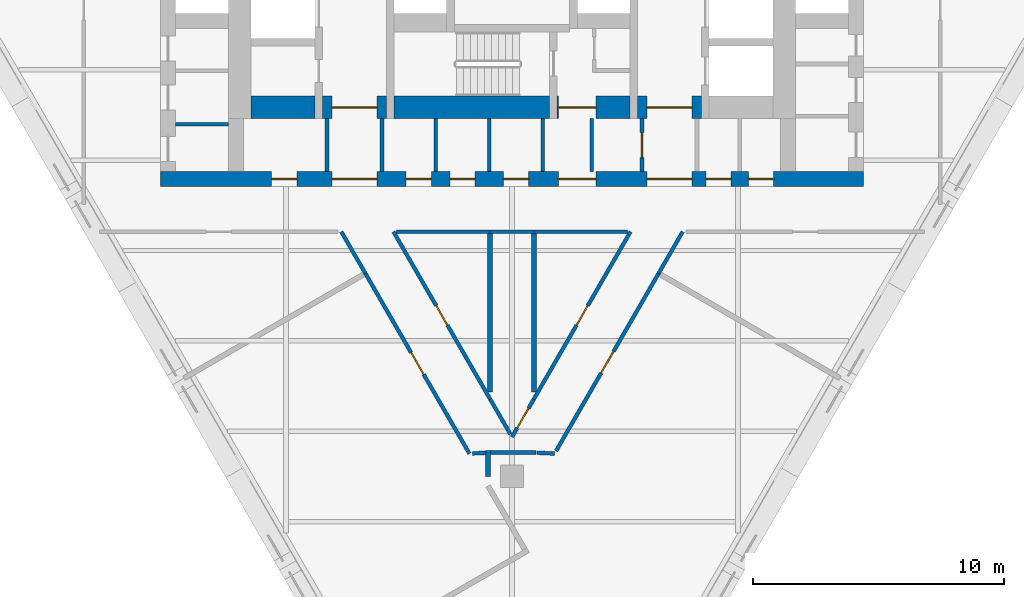
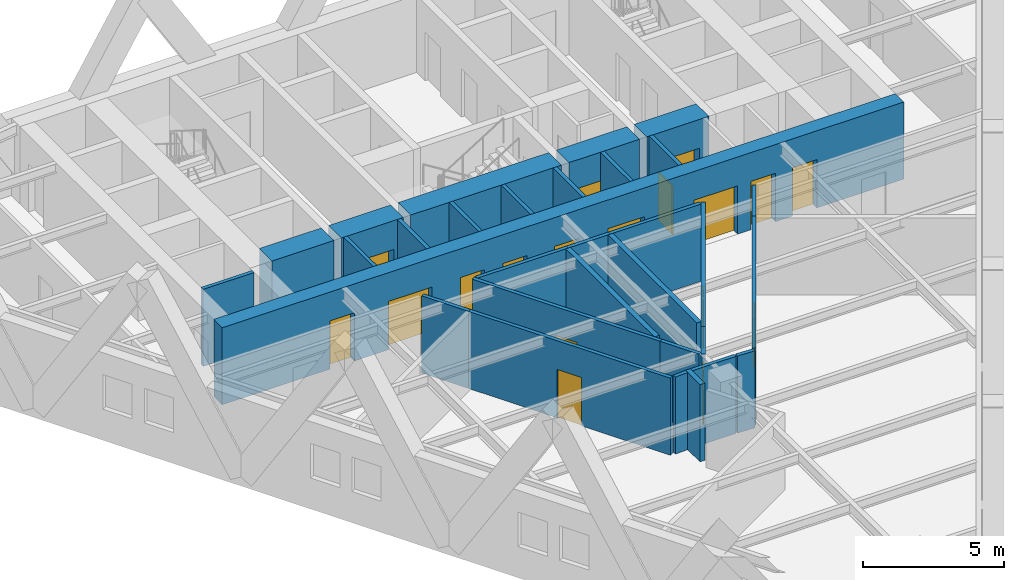
# One storey, part 3 of 7: 31 walls, 18 doors, 18 openings.
"""IFC4 building model written with IfcOpenShell, lengths in metres."""

from ifc_helpers import new_model, si_unit, direction, frame, frame_2d, origin, place, context, subcontext, project, spatial, rectangle, extrude, material, layer, layer_set, type_object, element, fill, save


model = new_model("IFC4")

# Units and contexts
model_context = context("Model", 3, precision=1e-05, world=origin(), true_north=direction((0.0, 1.0)))
body_context = subcontext(model_context, "Body", "Model", "MODEL_VIEW")
ifc_project = project(units=[si_unit("LENGTHUNIT", "METRE"), si_unit("AREAUNIT", "SQUARE_METRE"), si_unit("VOLUMEUNIT", "CUBIC_METRE"), si_unit("PLANEANGLEUNIT", "RADIAN"), si_unit("MASSUNIT", "GRAM", prefix="KILO")], contexts=[model_context])

# Site, building, storey
site_placement = place(None, origin())
site = spatial("IfcSite", under=ifc_project, at=site_placement, CompositionType="ELEMENT")
building_placement = place(site_placement, origin())
building = spatial("IfcBuilding", under=site, at=building_placement, Name="Aloe Facet Convention Tower", CompositionType="ELEMENT")
storey_placement = place(building_placement, frame((0.0, 0.0, 81.800048828125)))
storey = spatial("IfcBuildingStorey", under=building, at=storey_placement, Name="L19", CompositionType="ELEMENT", Elevation=81.800048828125)

# Walls
ifc_material_1 = material(Name="Concrete blockwork partition", Category="masonry")
ifc_layer_1 = layer(ifc_material_1, 0.14990234375)
ifc_layer_set_1 = layer_set([ifc_layer_1], Name="CR-W-PART150")
wall_type_1 = type_object("IfcWallType", Name="CR-W-PART150", PredefinedType="PARTITIONING", material=ifc_layer_set_1)
wall_1_placement = place(storey_placement, frame((66.60009765625, 122.02490234375, 0.0), z_axis=(0.0, 0.0, 1.0), x_axis=(1.0, 0.0, 0.0)))
element("IfcWall", 1, at=wall_1_placement, inside=storey, type_object=wall_type_1, Name="Core partition L19-008", PredefinedType="PARTITIONING", context=body_context, shape_type="SweptSolid", body=[
    extrude(rectangle(XDim=2.099853515625, YDim=0.14990234375, at=frame_2d((1.0498046875, 0.0))), origin(), (0.0, 0.0, 1.0), 3.349853515625),
])
for number, where, z_axis, x_axis, name in (
    (2, (72.625, 122.25, 0.0), (0.0, 0.0, 1.0), (0.0, -1.0, 0.0), "Core partition L19-017"),
    (3, (74.824951171875, 122.25, 0.0), (0.0, 0.0, 1.0), (0.0, -1.0, 0.0), "Core partition L19-018"),
    (4, (76.958251953125, 122.25, 0.0), (0.0, 0.0, 1.0), (0.0, -1.0, 0.0), "Core partition L19-024"),
    (5, (79.091552734375, 122.25, 0.0), (0.0, 0.0, 1.0), (0.0, -1.0, 0.0), "Core partition L19-027"),
    (6, (81.22509765625, 122.25, 0.0), (0.0, 0.0, 1.0), (0.0, -1.0, 0.0), "Core partition L19-028"),
    (7, (83.175048828125, 122.25, 0.0), (0.0, 0.0, 1.0), (0.0, -1.0, 0.0), "Core partition L19-035"),
):
    element("IfcWall", number, at=place(storey_placement, frame(where, z_axis=z_axis, x_axis=x_axis)), inside=storey, type_object=wall_type_1, Name=name, PredefinedType="PARTITIONING", context=body_context, shape_type="SweptSolid", body=[
        extrude(rectangle(XDim=2.10009765625, YDim=0.14990234375, at=frame_2d((1.050048828125, 0.0))), origin(), (0.0, 0.0, 1.0), 3.349853515625),
    ])

# Wall, opening, door
wall_2_placement = place(storey_placement, frame((85.175048828125, 122.25, 0.0), z_axis=(0.0, 0.0, 1.0), x_axis=(0.0, -1.0, 0.0)))
wall_2 = element("IfcWall", 8, at=wall_2_placement, inside=storey, type_object=wall_type_1, Name="Core partition L19-041", PredefinedType="PARTITIONING", context=body_context, shape_type="SweptSolid", body=[
    extrude(rectangle(XDim=2.10009765625, YDim=0.14990234375, at=frame_2d((1.050048828125, 0.0))), origin(), (0.0, 0.0, 1.0), 3.349853515625),
])
opening_1_placement = place(wall_2_placement, frame((0.550048828125, 0.0, 0.0)))
opening_1 = element("IfcOpeningElement", 9, at=opening_1_placement, cuts=wall_2, Name="Opening L19-CD28", PredefinedType="OPENING", context=body_context, shape_type="SweptSolid", body=[
    extrude(rectangle(XDim=1.0, YDim=2.10009765625, at=frame_2d((0.5, 1.050048828125))), frame((0.0, 0.0849609375, 0.0), z_axis=(0.0, -1.0, 0.0), x_axis=(1.0, 0.0, 0.0)), (0.0, 0.0, 1.0), 0.169921875),
])
ifc_material_2 = material(Name="Steel fire-resisting door set FD60", Category="steel")
door_type_1 = type_object("IfcDoorType", Name="CR-D-ROOM-1000-FD60-SRIGHT", OperationType="SINGLE_SWING_RIGHT", PredefinedType="DOOR", material=ifc_material_2)
door_1_placement = place(opening_1_placement, origin())
door_1 = element("IfcDoor", 10, at=door_1_placement, inside=storey, type_object=door_type_1, Name="Core door L19-CD28", OperationType="SINGLE_SWING_RIGHT", OverallHeight=2.10009765625, OverallWidth=1.0, PredefinedType="DOOR", context=body_context, shape_type="SweptSolid", body=[
    extrude(rectangle(XDim=1.0, YDim=2.10009765625, at=frame_2d((0.5, 1.050048828125))), frame((0.0, 0.02490234375, 0.0), z_axis=(0.0, -1.0, 0.0), x_axis=(1.0, 0.0, 0.0)), (0.0, 0.0, 1.0), 0.050048828125),
])
fill(opening_1, door_1)

# Wall, openings, doors
ifc_material_3 = material(Name="Concrete C70/85", Category="concrete")
ifc_layer_2 = layer(ifc_material_3, 0.60009765625)
ifc_layer_set_2 = layer_set([ifc_layer_2], Name="CR-W-RC600-C7085")
wall_type_2 = type_object("IfcWallType", Name="CR-W-RC600-C7085", PredefinedType="SOLIDWALL", material=ifc_layer_set_2)
wall_3_placement = place(storey_placement, frame((66.0, 119.85009765625, 0.0), z_axis=(0.0, 0.0, 1.0), x_axis=(1.0, 0.0, 0.0)))
wall_3 = element("IfcWall", 11, at=wall_3_placement, inside=storey, type_object=wall_type_2, Name="Core wall L19-003", PredefinedType="SOLIDWALL", context=body_context, shape_type="SweptSolid", body=[
    extrude(rectangle(XDim=28.0, YDim=0.60009765625, at=frame_2d((14.0, 0.0))), origin(), (0.0, 0.0, 1.0), 3.349853515625),
])
opening_2_placement = place(wall_3_placement, frame((6.824951171875, 0.0, 0.0)))
opening_2 = element("IfcOpeningElement", 12, at=opening_2_placement, cuts=wall_3, Name="Opening L19-CD17", PredefinedType="OPENING", context=body_context, shape_type="SweptSolid", body=[
    extrude(rectangle(XDim=1.800048828125, YDim=2.10009765625, at=frame_2d((0.89990234375, 1.050048828125))), frame((0.0, 0.31005859375, 0.0), z_axis=(0.0, -1.0, 0.0), x_axis=(1.0, 0.0, 0.0)), (0.0, 0.0, 1.0), 0.6201171875),
])
opening_3_placement = place(wall_3_placement, frame((15.85009765625, 0.0, 0.0)))
opening_3 = element("IfcOpeningElement", 13, at=opening_3_placement, cuts=wall_3, Name="Opening L19-CD18", PredefinedType="OPENING", context=body_context, shape_type="SweptSolid", body=[
    extrude(rectangle(XDim=1.5, YDim=2.10009765625, at=frame_2d((0.75, 1.050048828125))), frame((0.0, 0.31005859375, 0.0), z_axis=(0.0, -1.0, 0.0), x_axis=(1.0, 0.0, 0.0)), (0.0, 0.0, 1.0), 0.6201171875),
])
opening_4_placement = place(wall_3_placement, frame((19.375, 0.0, 0.0)))
opening_4 = element("IfcOpeningElement", 14, at=opening_4_placement, cuts=wall_3, Name="Opening L19-CD19", PredefinedType="OPENING", context=body_context, shape_type="SweptSolid", body=[
    extrude(rectangle(XDim=1.800048828125, YDim=2.10009765625, at=frame_2d((0.89990234375, 1.050048828125))), frame((0.0, 0.31005859375, 0.0), z_axis=(0.0, -1.0, 0.0), x_axis=(1.0, 0.0, 0.0)), (0.0, 0.0, 1.0), 0.6201171875),
])
opening_5_placement = place(wall_3_placement, frame((4.425048828125, 0.0, 0.0)))
opening_5 = element("IfcOpeningElement", 15, at=opening_5_placement, cuts=wall_3, Name="Opening L19-CD24", PredefinedType="OPENING", context=body_context, shape_type="SweptSolid", body=[
    extrude(rectangle(XDim=1.0, YDim=2.10009765625, at=frame_2d((0.5, 1.050048828125))), frame((0.0, 0.31005859375, 0.0), z_axis=(0.0, -1.0, 0.0), x_axis=(1.0, 0.0, 0.0)), (0.0, 0.0, 1.0), 0.6201171875),
])
opening_6_placement = place(wall_3_placement, frame((9.783203125, 0.0, 0.0)))
opening_6 = element("IfcOpeningElement", 16, at=opening_6_placement, cuts=wall_3, Name="Opening L19-CD25", PredefinedType="OPENING", context=body_context, shape_type="SweptSolid", body=[
    extrude(rectangle(XDim=1.0, YDim=2.10009765625, at=frame_2d((0.5, 1.050048828125))), frame((0.0, 0.31005859375, 0.0), z_axis=(0.0, -1.0, 0.0), x_axis=(1.0, 0.0, 0.0)), (0.0, 0.0, 1.0), 0.6201171875),
])
opening_7_placement = place(wall_3_placement, frame((11.52490234375, 0.0, 0.0)))
opening_7 = element("IfcOpeningElement", 17, at=opening_7_placement, cuts=wall_3, Name="Opening L19-CD26", PredefinedType="OPENING", context=body_context, shape_type="SweptSolid", body=[
    extrude(rectangle(XDim=1.0, YDim=2.10009765625, at=frame_2d((0.5, 1.050048828125))), frame((0.0, 0.31005859375, 0.0), z_axis=(0.0, -1.0, 0.0), x_axis=(1.0, 0.0, 0.0)), (0.0, 0.0, 1.0), 0.6201171875),
])
opening_8_placement = place(wall_3_placement, frame((13.658203125, 0.0, 0.0)))
opening_8 = element("IfcOpeningElement", 18, at=opening_8_placement, cuts=wall_3, Name="Opening L19-CD27", PredefinedType="OPENING", context=body_context, shape_type="SweptSolid", body=[
    extrude(rectangle(XDim=1.0, YDim=2.10009765625, at=frame_2d((0.5, 1.050048828125))), frame((0.0, 0.31005859375, 0.0), z_axis=(0.0, -1.0, 0.0), x_axis=(1.0, 0.0, 0.0)), (0.0, 0.0, 1.0), 0.6201171875),
])
opening_9_placement = place(wall_3_placement, frame((21.72509765625, 0.0, 0.0)))
opening_9 = element("IfcOpeningElement", 19, at=opening_9_placement, cuts=wall_3, Name="Opening L19-CD29", PredefinedType="OPENING", context=body_context, shape_type="SweptSolid", body=[
    extrude(rectangle(XDim=1.0, YDim=2.10009765625, at=frame_2d((0.5, 1.050048828125))), frame((0.0, 0.31005859375, 0.0), z_axis=(0.0, -1.0, 0.0), x_axis=(1.0, 0.0, 0.0)), (0.0, 0.0, 1.0), 0.6201171875),
])
opening_10_placement = place(wall_3_placement, frame((23.425048828125, 0.0, 0.0)))
opening_10 = element("IfcOpeningElement", 20, at=opening_10_placement, cuts=wall_3, Name="Opening L19-CD30", PredefinedType="OPENING", context=body_context, shape_type="SweptSolid", body=[
    extrude(rectangle(XDim=1.0, YDim=2.10009765625, at=frame_2d((0.5, 1.050048828125))), frame((0.0, 0.31005859375, 0.0), z_axis=(0.0, -1.0, 0.0), x_axis=(1.0, 0.0, 0.0)), (0.0, 0.0, 1.0), 0.6201171875),
])
ifc_material_4 = material(Name="Steel fire-resisting door set FD60", Category="steel")
door_type_2 = type_object("IfcDoorType", Name="CR-D-EXIT-1500-FD60-DD", OperationType="DOUBLE_DOOR_DOUBLE_SWING", PredefinedType="DOOR", material=ifc_material_4)
door_2_placement = place(opening_3_placement, origin())
door_2 = element("IfcDoor", 21, at=door_2_placement, inside=storey, type_object=door_type_2, Name="Core door L19-CD18", OperationType="DOUBLE_DOOR_DOUBLE_SWING", OverallHeight=2.10009765625, OverallWidth=1.5, PredefinedType="DOOR", context=body_context, shape_type="SweptSolid", body=[
    extrude(rectangle(XDim=1.5, YDim=2.10009765625, at=frame_2d((0.75, 1.050048828125))), frame((0.0, 0.02490234375, 0.0), z_axis=(0.0, -1.0, 0.0), x_axis=(1.0, 0.0, 0.0)), (0.0, 0.0, 1.0), 0.050048828125),
])
fill(opening_3, door_2)
ifc_material_5 = material(Name="Steel fire-resisting door set FD60", Category="steel")
door_type_3 = type_object("IfcDoorType", Name="CR-D-EXIT-1800-FD60-DD", OperationType="DOUBLE_DOOR_DOUBLE_SWING", PredefinedType="DOOR", material=ifc_material_5)
door_3_placement = place(opening_2_placement, origin())
door_3 = element("IfcDoor", 22, at=door_3_placement, inside=storey, type_object=door_type_3, Name="Core door L19-CD17", OperationType="DOUBLE_DOOR_DOUBLE_SWING", OverallHeight=2.10009765625, OverallWidth=1.800048828125, PredefinedType="DOOR", context=body_context, shape_type="SweptSolid", body=[
    extrude(rectangle(XDim=1.800048828125, YDim=2.10009765625, at=frame_2d((0.89990234375, 1.050048828125))), frame((0.0, 0.02490234375, 0.0), z_axis=(0.0, -1.0, 0.0), x_axis=(1.0, 0.0, 0.0)), (0.0, 0.0, 1.0), 0.050048828125),
])
fill(opening_2, door_3)
door_4_placement = place(opening_4_placement, origin())
door_4 = element("IfcDoor", 23, at=door_4_placement, inside=storey, type_object=door_type_3, Name="Core door L19-CD19", OperationType="DOUBLE_DOOR_DOUBLE_SWING", OverallHeight=2.10009765625, OverallWidth=1.800048828125, PredefinedType="DOOR", context=body_context, shape_type="SweptSolid", body=[
    extrude(rectangle(XDim=1.800048828125, YDim=2.10009765625, at=frame_2d((0.89990234375, 1.050048828125))), frame((0.0, 0.02490234375, 0.0), z_axis=(0.0, -1.0, 0.0), x_axis=(1.0, 0.0, 0.0)), (0.0, 0.0, 1.0), 0.050048828125),
])
fill(opening_4, door_4)
door_5_placement = place(opening_5_placement, origin())
door_5 = element("IfcDoor", 24, at=door_5_placement, inside=storey, type_object=door_type_1, Name="Core door L19-CD24", OperationType="SINGLE_SWING_RIGHT", OverallHeight=2.10009765625, OverallWidth=1.0, PredefinedType="DOOR", context=body_context, shape_type="SweptSolid", body=[
    extrude(rectangle(XDim=1.0, YDim=2.10009765625, at=frame_2d((0.5, 1.050048828125))), frame((0.0, 0.02490234375, 0.0), z_axis=(0.0, -1.0, 0.0), x_axis=(1.0, 0.0, 0.0)), (0.0, 0.0, 1.0), 0.050048828125),
])
fill(opening_5, door_5)
door_6_placement = place(opening_6_placement, origin())
door_6 = element("IfcDoor", 25, at=door_6_placement, inside=storey, type_object=door_type_1, Name="Core door L19-CD25", OperationType="SINGLE_SWING_RIGHT", OverallHeight=2.10009765625, OverallWidth=1.0, PredefinedType="DOOR", context=body_context, shape_type="SweptSolid", body=[
    extrude(rectangle(XDim=1.0, YDim=2.10009765625, at=frame_2d((0.5, 1.050048828125))), frame((0.0, 0.02490234375, 0.0), z_axis=(0.0, -1.0, 0.0), x_axis=(1.0, 0.0, 0.0)), (0.0, 0.0, 1.0), 0.050048828125),
])
fill(opening_6, door_6)
door_7_placement = place(opening_7_placement, origin())
door_7 = element("IfcDoor", 26, at=door_7_placement, inside=storey, type_object=door_type_1, Name="Core door L19-CD26", OperationType="SINGLE_SWING_RIGHT", OverallHeight=2.10009765625, OverallWidth=1.0, PredefinedType="DOOR", context=body_context, shape_type="SweptSolid", body=[
    extrude(rectangle(XDim=1.0, YDim=2.10009765625, at=frame_2d((0.5, 1.050048828125))), frame((0.0, 0.02490234375, 0.0), z_axis=(0.0, -1.0, 0.0), x_axis=(1.0, 0.0, 0.0)), (0.0, 0.0, 1.0), 0.050048828125),
])
fill(opening_7, door_7)
door_8_placement = place(opening_8_placement, origin())
door_8 = element("IfcDoor", 27, at=door_8_placement, inside=storey, type_object=door_type_1, Name="Core door L19-CD27", OperationType="SINGLE_SWING_RIGHT", OverallHeight=2.10009765625, OverallWidth=1.0, PredefinedType="DOOR", context=body_context, shape_type="SweptSolid", body=[
    extrude(rectangle(XDim=1.0, YDim=2.10009765625, at=frame_2d((0.5, 1.050048828125))), frame((0.0, 0.02490234375, 0.0), z_axis=(0.0, -1.0, 0.0), x_axis=(1.0, 0.0, 0.0)), (0.0, 0.0, 1.0), 0.050048828125),
])
fill(opening_8, door_8)
door_9_placement = place(opening_9_placement, origin())
door_9 = element("IfcDoor", 28, at=door_9_placement, inside=storey, type_object=door_type_1, Name="Core door L19-CD29", OperationType="SINGLE_SWING_RIGHT", OverallHeight=2.10009765625, OverallWidth=1.0, PredefinedType="DOOR", context=body_context, shape_type="SweptSolid", body=[
    extrude(rectangle(XDim=1.0, YDim=2.10009765625, at=frame_2d((0.5, 1.050048828125))), frame((0.0, 0.02490234375, 0.0), z_axis=(0.0, -1.0, 0.0), x_axis=(1.0, 0.0, 0.0)), (0.0, 0.0, 1.0), 0.050048828125),
])
fill(opening_9, door_9)
door_10_placement = place(opening_10_placement, origin())
door_10 = element("IfcDoor", 29, at=door_10_placement, inside=storey, type_object=door_type_1, Name="Core door L19-CD30", OperationType="SINGLE_SWING_RIGHT", OverallHeight=2.10009765625, OverallWidth=1.0, PredefinedType="DOOR", context=body_context, shape_type="SweptSolid", body=[
    extrude(rectangle(XDim=1.0, YDim=2.10009765625, at=frame_2d((0.5, 1.050048828125))), frame((0.0, 0.02490234375, 0.0), z_axis=(0.0, -1.0, 0.0), x_axis=(1.0, 0.0, 0.0)), (0.0, 0.0, 1.0), 0.050048828125),
])
fill(opening_10, door_10)

# Wall
ifc_material_6 = material(Name="Concrete C70/85", Category="concrete")
ifc_layer_3 = layer(ifc_material_6, 0.89990234375)
ifc_layer_set_3 = layer_set([ifc_layer_3], Name="CR-W-RC900-C7085")
wall_type_3 = type_object("IfcWallType", Name="CR-W-RC900-C7085", PredefinedType="SOLIDWALL", material=ifc_layer_set_3)
wall_4_placement = place(storey_placement, frame((69.60009765625, 122.699951171875, 0.0), z_axis=(0.0, 0.0, 1.0), x_axis=(1.0, 0.0, 0.0)))
element("IfcWall", 30, at=wall_4_placement, inside=storey, type_object=wall_type_3, Name="Core wall L19-013", PredefinedType="SOLIDWALL", context=body_context, shape_type="SweptSolid", body=[
    extrude(rectangle(XDim=2.5498046875, YDim=0.89990234375, at=frame_2d((1.27490234375, 0.0))), origin(), (0.0, 0.0, 1.0), 3.349853515625),
])

# Wall, opening, door
wall_5_placement = place(storey_placement, frame((72.449951171875, 122.699951171875, 0.0), z_axis=(0.0, 0.0, 1.0), x_axis=(1.0, 0.0, 0.0)))
wall_5 = element("IfcWall", 31, at=wall_5_placement, inside=storey, type_object=wall_type_3, Name="Core wall L19-016", PredefinedType="SOLIDWALL", context=body_context, shape_type="SweptSolid", body=[
    extrude(rectangle(XDim=2.550048828125, YDim=0.89990234375, at=frame_2d((1.27490234375, 0.0))), origin(), (0.0, 0.0, 1.0), 3.349853515625),
])
opening_11_placement = place(wall_5_placement, frame((0.375, 0.0, 0.0)))
opening_11 = element("IfcOpeningElement", 32, at=opening_11_placement, cuts=wall_5, Name="Opening L19-CD15", PredefinedType="OPENING", context=body_context, shape_type="SweptSolid", body=[
    extrude(rectangle(XDim=1.800048828125, YDim=2.10009765625, at=frame_2d((0.89990234375, 1.050048828125))), frame((0.0, 0.4599609375, 0.0), z_axis=(0.0, -1.0, 0.0), x_axis=(1.0, 0.0, 0.0)), (0.0, 0.0, 1.0), 0.919921875),
])
ifc_material_7 = material(Name="Steel fire-resisting door set FD120", Category="steel")
door_type_4 = type_object("IfcDoorType", Name="CR-D-EXIT-1800-FD120-DD", OperationType="DOUBLE_DOOR_DOUBLE_SWING", PredefinedType="DOOR", material=ifc_material_7)
door_11_placement = place(opening_11_placement, origin())
door_11 = element("IfcDoor", 33, at=door_11_placement, inside=storey, type_object=door_type_4, Name="Core door L19-CD15", OperationType="DOUBLE_DOOR_DOUBLE_SWING", OverallHeight=2.10009765625, OverallWidth=1.800048828125, PredefinedType="DOOR", context=body_context, shape_type="SweptSolid", body=[
    extrude(rectangle(XDim=1.800048828125, YDim=2.10009765625, at=frame_2d((0.89990234375, 1.050048828125))), frame((0.0, 0.02490234375, 0.0), z_axis=(0.0, -1.0, 0.0), x_axis=(1.0, 0.0, 0.0)), (0.0, 0.0, 1.0), 0.050048828125),
])
fill(opening_11, door_11)

# Wall
wall_6_placement = place(storey_placement, frame((75.300048828125, 122.699951171875, 0.0), z_axis=(0.0, 0.0, 1.0), x_axis=(1.0, 0.0, 0.0)))
element("IfcWall", 34, at=wall_6_placement, inside=storey, type_object=wall_type_3, Name="Core wall L19-023", PredefinedType="SOLIDWALL", context=body_context, shape_type="SweptSolid", body=[
    extrude(rectangle(XDim=6.199951171875, YDim=0.89990234375, at=frame_2d((3.10009765625, 0.0))), origin(), (0.0, 0.0, 1.0), 3.349853515625),
])

# Wall, opening, door
wall_7_placement = place(storey_placement, frame((81.800048828125, 122.699951171875, 0.0), z_axis=(0.0, 0.0, 1.0), x_axis=(1.0, 0.0, 0.0)))
wall_7 = element("IfcWall", 35, at=wall_7_placement, inside=storey, type_object=wall_type_3, Name="Core wall L19-030", PredefinedType="SOLIDWALL", context=body_context, shape_type="SweptSolid", body=[
    extrude(rectangle(XDim=2.89990234375, YDim=0.89990234375, at=frame_2d((1.449951171875, 0.0))), origin(), (0.0, 0.0, 1.0), 3.349853515625),
])
opening_12_placement = place(wall_7_placement, frame((0.050048828125, 0.0, 0.0)))
opening_12 = element("IfcOpeningElement", 36, at=opening_12_placement, cuts=wall_7, Name="Opening L19-CD16", PredefinedType="OPENING", context=body_context, shape_type="SweptSolid", body=[
    extrude(rectangle(XDim=1.5, YDim=2.10009765625, at=frame_2d((0.75, 1.050048828125))), frame((0.0, 0.4599609375, 0.0), z_axis=(0.0, -1.0, 0.0), x_axis=(1.0, 0.0, 0.0)), (0.0, 0.0, 1.0), 0.919921875),
])
door_12_placement = place(opening_12_placement, origin())
door_12 = element("IfcDoor", 37, at=door_12_placement, inside=storey, type_object=door_type_2, Name="Core door L19-CD16", OperationType="DOUBLE_DOOR_DOUBLE_SWING", OverallHeight=2.10009765625, OverallWidth=1.5, PredefinedType="DOOR", context=body_context, shape_type="SweptSolid", body=[
    extrude(rectangle(XDim=1.5, YDim=2.10009765625, at=frame_2d((0.75, 1.050048828125))), frame((0.0, 0.02490234375, 0.0), z_axis=(0.0, -1.0, 0.0), x_axis=(1.0, 0.0, 0.0)), (0.0, 0.0, 1.0), 0.050048828125),
])
fill(opening_12, door_12)

wall_8_placement = place(storey_placement, frame((85.0, 122.699951171875, 0.0), z_axis=(0.0, 0.0, 1.0), x_axis=(1.0, 0.0, 0.0)))
wall_8 = element("IfcWall", 38, at=wall_8_placement, inside=storey, type_object=wall_type_3, Name="Core wall L19-040", PredefinedType="SOLIDWALL", context=body_context, shape_type="SweptSolid", body=[
    extrude(rectangle(XDim=2.550048828125, YDim=0.89990234375, at=frame_2d((1.27490234375, 0.0))), origin(), (0.0, 0.0, 1.0), 3.349853515625),
])
opening_13_placement = place(wall_8_placement, frame((0.375, 0.0, 0.0)))
opening_13 = element("IfcOpeningElement", 39, at=opening_13_placement, cuts=wall_8, Name="Opening L19-CD14", PredefinedType="OPENING", context=body_context, shape_type="SweptSolid", body=[
    extrude(rectangle(XDim=1.800048828125, YDim=2.10009765625, at=frame_2d((0.89990234375, 1.050048828125))), frame((0.0, 0.4599609375, 0.0), z_axis=(0.0, -1.0, 0.0), x_axis=(1.0, 0.0, 0.0)), (0.0, 0.0, 1.0), 0.919921875),
])
door_13_placement = place(opening_13_placement, origin())
door_13 = element("IfcDoor", 40, at=door_13_placement, inside=storey, type_object=door_type_4, Name="Core door L19-CD14", OperationType="DOUBLE_DOOR_DOUBLE_SWING", OverallHeight=2.10009765625, OverallWidth=1.800048828125, PredefinedType="DOOR", context=body_context, shape_type="SweptSolid", body=[
    extrude(rectangle(XDim=1.800048828125, YDim=2.10009765625, at=frame_2d((0.89990234375, 1.050048828125))), frame((0.0, 0.02490234375, 0.0), z_axis=(0.0, -1.0, 0.0), x_axis=(1.0, 0.0, 0.0)), (0.0, 0.0, 1.0), 0.050048828125),
])
fill(opening_13, door_13)

ifc_material_8 = material(Name="Gypsum board partition on steel studs", Category="steel")
ifc_layer_4 = layer(ifc_material_8, 0.14990234375)
ifc_layer_set_4 = layer_set([ifc_layer_4], Name="IN-W-CORR")
wall_type_4 = type_object("IfcWallType", Name="IN-W-CORR", PredefinedType="PARTITIONING", material=ifc_layer_set_4)
wall_9_placement = place(storey_placement, frame((74.16015625, 116.085205078125, 0.0), z_axis=(0.0, 0.0, 1.0), x_axis=(0.500048861501, -0.865997191746, 0.0)))
wall_9 = element("IfcWall", 41, at=wall_9_placement, inside=storey, type_object=wall_type_4, Name="Partition L19-W004", PredefinedType="PARTITIONING", context=body_context, shape_type="SweptSolid", body=[
    extrude(rectangle(XDim=8.287353515625, YDim=0.14990234375, at=frame_2d((4.1435546875, 0.0))), origin(), (0.0, 0.0, 1.0), 3.349853515625),
])
opening_14_placement = place(wall_9_placement, frame((3.6435546875, 0.0, 0.0)))
opening_14 = element("IfcOpeningElement", 42, at=opening_14_placement, cuts=wall_9, Name="Opening L19-003", PredefinedType="OPENING", context=body_context, shape_type="SweptSolid", body=[
    extrude(rectangle(XDim=1.0, YDim=2.10009765625, at=frame_2d((0.5, 1.050048828125))), frame((0.0, 0.0849609375, 0.0), z_axis=(0.0, -1.0, 0.0), x_axis=(1.0, 0.0, 0.0)), (0.0, 0.0, 1.0), 0.169921875),
])
ifc_material_9 = material(Name="Hardwood flush door FD30S", Category="wood")
door_type_5 = type_object("IfcDoorType", Name="IN-D-WIDE", OperationType="SINGLE_SWING_LEFT", PredefinedType="DOOR", material=ifc_material_9)
door_14_placement = place(opening_14_placement, origin())
door_14 = element("IfcDoor", 43, at=door_14_placement, inside=storey, type_object=door_type_5, Name="Door L19-003", OperationType="SINGLE_SWING_LEFT", OverallHeight=2.10009765625, OverallWidth=1.0, PredefinedType="DOOR", context=body_context, shape_type="SweptSolid", body=[
    extrude(rectangle(XDim=1.0, YDim=2.10009765625, at=frame_2d((0.5, 1.050048828125))), frame((0.0, 0.02490234375, 0.0), z_axis=(0.0, -1.0, 0.0), x_axis=(1.0, 0.0, 0.0)), (0.0, 0.0, 1.0), 0.050048828125),
])
fill(opening_14, door_14)

# Walls
wall_10_placement = place(storey_placement, frame((81.000244140625, 108.942626953125, 0.0), z_axis=(0.0, 0.0, 1.0), x_axis=(0.998813598292, -0.048696980064, 0.0)))
element("IfcWall", 44, at=wall_10_placement, inside=storey, type_object=wall_type_4, Name="Partition L19-W005", PredefinedType="PARTITIONING", context=body_context, shape_type="SweptSolid", body=[
    extrude(rectangle(XDim=0.69677734375, YDim=0.14990234375, at=frame_2d((0.348388671875, 0.0))), origin(), (0.0, 0.0, 1.0), 3.349853515625),
])
wall_11_placement = place(storey_placement, frame((78.4267578125, 108.914306640625, 0.0), z_axis=(0.0, 0.0, 1.0), x_axis=(0.998778443094, 0.049412767684, 0.0)))
element("IfcWall", 45, at=wall_11_placement, inside=storey, type_object=wall_type_4, Name="Partition L19-W006", PredefinedType="PARTITIONING", context=body_context, shape_type="SweptSolid", body=[
    extrude(rectangle(XDim=0.53369140625, YDim=0.14990234375, at=frame_2d((0.266845703125, 0.0))), origin(), (0.0, 0.0, 1.0), 3.349853515625),
])
wall_12_placement = place(storey_placement, frame((79.14990234375, 108.949951171875, 0.0), z_axis=(0.0, 0.0, 1.0), x_axis=(1.0, 0.0, 0.0)))
element("IfcWall", 46, at=wall_12_placement, inside=storey, type_object=wall_type_4, Name="Partition L19-W009", PredefinedType="PARTITIONING", context=body_context, shape_type="SweptSolid", body=[
    extrude(rectangle(XDim=1.800048828125, YDim=0.14990234375, at=frame_2d((0.89990234375, 0.0))), origin(), (0.0, 0.0, 1.0), 3.349853515625),
])

# Wall, opening, door
wall_13_placement = place(storey_placement, frame((80.0, 109.570556640625, 0.0), z_axis=(0.0, 0.0, 1.0), x_axis=(0.49997027332, 0.866042565811, 0.0)))
wall_13 = element("IfcWall", 47, at=wall_13_placement, inside=storey, type_object=wall_type_4, Name="Partition L19-W010", PredefinedType="PARTITIONING", context=body_context, shape_type="SweptSolid", body=[
    extrude(rectangle(XDim=1.73388671875, YDim=0.14990234375, at=frame_2d((0.866943359375, 0.0))), origin(), (0.0, 0.0, 1.0), 3.349853515625),
])
opening_15_placement = place(wall_13_placement, frame((0.4169921875, 0.0, 0.0)))
opening_15 = element("IfcOpeningElement", 48, at=opening_15_placement, cuts=wall_13, Name="Opening L19-008", PredefinedType="OPENING", context=body_context, shape_type="SweptSolid", body=[
    extrude(rectangle(XDim=0.89990234375, YDim=2.10009765625, at=frame_2d((0.449951171875, 1.050048828125))), frame((0.0, 0.0849609375, 0.0), z_axis=(0.0, -1.0, 0.0), x_axis=(1.0, 0.0, 0.0)), (0.0, 0.0, 1.0), 0.169921875),
])
ifc_material_10 = material(Name="Hardwood flush door FD30S", Category="wood")
door_type_6 = type_object("IfcDoorType", Name="IN-D-GUEST", OperationType="SINGLE_SWING_LEFT", PredefinedType="DOOR", material=ifc_material_10)
door_15_placement = place(opening_15_placement, origin())
door_15 = element("IfcDoor", 49, at=door_15_placement, inside=storey, type_object=door_type_6, Name="Door L19-008", OperationType="SINGLE_SWING_LEFT", OverallHeight=2.10009765625, OverallWidth=0.89990234375, PredefinedType="DOOR", context=body_context, shape_type="SweptSolid", body=[
    extrude(rectangle(XDim=0.89990234375, YDim=2.10009765625, at=frame_2d((0.449951171875, 1.050048828125))), frame((0.0, 0.02490234375, 0.0), z_axis=(0.0, -1.0, 0.0), x_axis=(1.0, 0.0, 0.0)), (0.0, 0.0, 1.0), 0.050048828125),
])
fill(opening_15, door_15)

# Wall
wall_14_placement = place(storey_placement, frame((79.133056640625, 111.072265625, 0.0), z_axis=(0.0, 0.0, 1.0), x_axis=(0.499985955615, -0.866033512162, 0.0)))
element("IfcWall", 50, at=wall_14_placement, inside=storey, type_object=wall_type_4, Name="Partition L19-W011", PredefinedType="PARTITIONING", context=body_context, shape_type="SweptSolid", body=[
    extrude(rectangle(XDim=1.60400390625, YDim=0.14990234375, at=frame_2d((0.802001953125, 0.0))), origin(), (0.0, 0.0, 1.0), 3.349853515625),
])

# Wall, opening, door
wall_15_placement = place(storey_placement, frame((80.866943359375, 111.072265625, 0.0), z_axis=(0.0, 0.0, 1.0), x_axis=(0.500007490527, 0.866021079084, 0.0)))
wall_15 = element("IfcWall", 51, at=wall_15_placement, inside=storey, type_object=wall_type_4, Name="Partition L19-W014", PredefinedType="PARTITIONING", context=body_context, shape_type="SweptSolid", body=[
    extrude(rectangle(XDim=7.7109375, YDim=0.14990234375, at=frame_2d((3.85546875, 0.0))), origin(), (0.0, 0.0, 1.0), 3.349853515625),
])
opening_16_placement = place(wall_15_placement, frame((3.405517578125, 0.0, 0.0)))
opening_16 = element("IfcOpeningElement", 52, at=opening_16_placement, cuts=wall_15, Name="Opening L19-009", PredefinedType="OPENING", context=body_context, shape_type="SweptSolid", body=[
    extrude(rectangle(XDim=0.89990234375, YDim=2.10009765625, at=frame_2d((0.449951171875, 1.050048828125))), frame((0.0, 0.0849609375, 0.0), z_axis=(0.0, -1.0, 0.0), x_axis=(1.0, 0.0, 0.0)), (0.0, 0.0, 1.0), 0.169921875),
])
door_16_placement = place(opening_16_placement, origin())
door_16 = element("IfcDoor", 53, at=door_16_placement, inside=storey, type_object=door_type_6, Name="Door L19-009", OperationType="SINGLE_SWING_LEFT", OverallHeight=2.10009765625, OverallWidth=0.89990234375, PredefinedType="DOOR", context=body_context, shape_type="SweptSolid", body=[
    extrude(rectangle(XDim=0.89990234375, YDim=2.10009765625, at=frame_2d((0.449951171875, 1.050048828125))), frame((0.0, 0.02490234375, 0.0), z_axis=(0.0, -1.0, 0.0), x_axis=(1.0, 0.0, 0.0)), (0.0, 0.0, 1.0), 0.050048828125),
])
fill(opening_16, door_16)

# Wall
wall_16_placement = place(storey_placement, frame((73.19921875, 117.75, 0.0), z_axis=(0.0, 0.0, 1.0), x_axis=(0.499909361484, -0.866077727632, 0.0)))
element("IfcWall", 54, at=wall_16_placement, inside=storey, type_object=wall_type_4, Name="Partition L19-W017", PredefinedType="PARTITIONING", context=body_context, shape_type="SweptSolid", body=[
    extrude(rectangle(XDim=1.922119140625, YDim=0.14990234375, at=frame_2d((0.9609375, 0.0))), origin(), (0.0, 0.0, 1.0), 3.349853515625),
])

# Wall, opening, door
wall_17_placement = place(storey_placement, frame((81.7578125, 109.01513671875, 0.0), z_axis=(0.0, 0.0, 1.0), x_axis=(0.50001151834, 0.866018753565, 0.0)))
wall_17 = element("IfcWall", 55, at=wall_17_placement, inside=storey, type_object=wall_type_4, Name="Partition L19-W018", PredefinedType="PARTITIONING", context=body_context, shape_type="SweptSolid", body=[
    extrude(rectangle(XDim=8.163818359375, YDim=0.14990234375, at=frame_2d((4.08203125, 0.0))), origin(), (0.0, 0.0, 1.0), 3.349853515625),
])
opening_17_placement = place(wall_17_placement, frame((3.58203125, 0.0, 0.0)))
opening_17 = element("IfcOpeningElement", 56, at=opening_17_placement, cuts=wall_17, Name="Opening L19-004", PredefinedType="OPENING", context=body_context, shape_type="SweptSolid", body=[
    extrude(rectangle(XDim=1.0, YDim=2.10009765625, at=frame_2d((0.5, 1.050048828125))), frame((0.0, 0.0849609375, 0.0), z_axis=(0.0, -1.0, 0.0), x_axis=(1.0, 0.0, 0.0)), (0.0, 0.0, 1.0), 0.169921875),
])
door_17_placement = place(opening_17_placement, origin())
door_17 = element("IfcDoor", 57, at=door_17_placement, inside=storey, type_object=door_type_5, Name="Door L19-004", OperationType="SINGLE_SWING_LEFT", OverallHeight=2.10009765625, OverallWidth=1.0, PredefinedType="DOOR", context=body_context, shape_type="SweptSolid", body=[
    extrude(rectangle(XDim=1.0, YDim=2.10009765625, at=frame_2d((0.5, 1.050048828125))), frame((0.0, 0.02490234375, 0.0), z_axis=(0.0, -1.0, 0.0), x_axis=(1.0, 0.0, 0.0)), (0.0, 0.0, 1.0), 0.050048828125),
])
fill(opening_17, door_17)

wall_18_placement = place(storey_placement, frame((75.277587890625, 117.75, 0.0), z_axis=(0.0, 0.0, 1.0), x_axis=(0.500007490527, -0.866021079084, 0.0)))
wall_18 = element("IfcWall", 58, at=wall_18_placement, inside=storey, type_object=wall_type_4, Name="Partition L19-W020", PredefinedType="PARTITIONING", context=body_context, shape_type="SweptSolid", body=[
    extrude(rectangle(XDim=7.7109375, YDim=0.14990234375, at=frame_2d((3.85546875, 0.0))), origin(), (0.0, 0.0, 1.0), 3.349853515625),
])
opening_18_placement = place(wall_18_placement, frame((3.405517578125, 0.0, 0.0)))
opening_18 = element("IfcOpeningElement", 59, at=opening_18_placement, cuts=wall_18, Name="Opening L19-007", PredefinedType="OPENING", context=body_context, shape_type="SweptSolid", body=[
    extrude(rectangle(XDim=0.89990234375, YDim=2.10009765625, at=frame_2d((0.449951171875, 1.050048828125))), frame((0.0, 0.0849609375, 0.0), z_axis=(0.0, -1.0, 0.0), x_axis=(1.0, 0.0, 0.0)), (0.0, 0.0, 1.0), 0.169921875),
])
door_18_placement = place(opening_18_placement, origin())
door_18 = element("IfcDoor", 60, at=door_18_placement, inside=storey, type_object=door_type_6, Name="Door L19-007", OperationType="SINGLE_SWING_LEFT", OverallHeight=2.10009765625, OverallWidth=0.89990234375, PredefinedType="DOOR", context=body_context, shape_type="SweptSolid", body=[
    extrude(rectangle(XDim=0.89990234375, YDim=2.10009765625, at=frame_2d((0.449951171875, 1.050048828125))), frame((0.0, 0.02490234375, 0.0), z_axis=(0.0, -1.0, 0.0), x_axis=(1.0, 0.0, 0.0)), (0.0, 0.0, 1.0), 0.050048828125),
])
fill(opening_18, door_18)

# Walls
wall_19_placement = place(storey_placement, frame((75.407470703125, 117.75, 0.0), z_axis=(0.0, 0.0, 1.0), x_axis=(1.0, 0.0, 0.0)))
element("IfcWall", 61, at=wall_19_placement, inside=storey, type_object=wall_type_4, Name="Partition L19-W021", PredefinedType="PARTITIONING", context=body_context, shape_type="SweptSolid", body=[
    extrude(rectangle(XDim=3.7255859375, YDim=0.14990234375, at=frame_2d((1.86279296875, 0.0))), origin(), (0.0, 0.0, 1.0), 3.349853515625),
])
wall_20_placement = place(storey_placement, frame((79.133056640625, 117.75, 0.0), z_axis=(0.0, 0.0, 1.0), x_axis=(1.0, 0.0, 0.0)))
element("IfcWall", 62, at=wall_20_placement, inside=storey, type_object=wall_type_4, Name="Partition L19-W022", PredefinedType="PARTITIONING", context=body_context, shape_type="SweptSolid", body=[
    extrude(rectangle(XDim=1.73388671875, YDim=0.14990234375, at=frame_2d((0.866943359375, 0.0))), origin(), (0.0, 0.0, 1.0), 3.349853515625),
])
wall_21_placement = place(storey_placement, frame((80.866943359375, 117.75, 0.0), z_axis=(0.0, 0.0, 1.0), x_axis=(1.0, 0.0, 0.0)))
element("IfcWall", 63, at=wall_21_placement, inside=storey, type_object=wall_type_4, Name="Partition L19-W023", PredefinedType="PARTITIONING", context=body_context, shape_type="SweptSolid", body=[
    extrude(rectangle(XDim=3.7255859375, YDim=0.14990234375, at=frame_2d((1.86279296875, 0.0))), origin(), (0.0, 0.0, 1.0), 3.349853515625),
])
wall_22_placement = place(storey_placement, frame((85.83984375, 116.085205078125, 0.0), z_axis=(0.0, 0.0, 1.0), x_axis=(0.499909361484, 0.866077727632, 0.0)))
element("IfcWall", 64, at=wall_22_placement, inside=storey, type_object=wall_type_4, Name="Partition L19-W024", PredefinedType="PARTITIONING", context=body_context, shape_type="SweptSolid", body=[
    extrude(rectangle(XDim=1.922119140625, YDim=0.14990234375, at=frame_2d((0.9609375, 0.0))), origin(), (0.0, 0.0, 1.0), 3.349853515625),
])
ifc_material_11 = material(Name="Gypsum board partition on steel studs", Category="steel")
ifc_layer_5 = layer(ifc_material_11, 0.199951171875)
ifc_layer_set_5 = layer_set([ifc_layer_5], Name="IN-W-PARTY")
wall_type_5 = type_object("IfcWallType", Name="IN-W-PARTY", PredefinedType="PARTITIONING", material=ifc_layer_set_5)
wall_23_placement = place(storey_placement, frame((79.050048828125, 107.9892578125, 0.0), z_axis=(0.0, 0.0, 1.0), x_axis=(0.0, 1.0, 0.0)))
element("IfcWall", 65, at=wall_23_placement, inside=storey, type_object=wall_type_5, Name="Partition L19-W003", PredefinedType="PARTITIONING", context=body_context, shape_type="SweptSolid", body=[
    extrude(rectangle(XDim=1.03564453125, YDim=0.199951171875, at=frame_2d((0.517822265625, 0.0))), origin(), (0.0, 0.0, 1.0), 3.349853515625),
])
for number, where, z_axis, x_axis, name in (
    (66, (79.133056640625, 111.3671875, 0.0), (0.0, 0.0, 1.0), (0.0, 1.0, 0.0), "Partition L19-W012"),
    (67, (80.866943359375, 111.3671875, 0.0), (0.0, 0.0, 1.0), (0.0, 1.0, 0.0), "Partition L19-W013"),
):
    element("IfcWall", number, at=place(storey_placement, frame(where, z_axis=z_axis, x_axis=x_axis)), inside=storey, type_object=wall_type_5, Name=name, PredefinedType="PARTITIONING", context=body_context, shape_type="SweptSolid", body=[
        extrude(rectangle(XDim=6.307861328125, YDim=0.199951171875, at=frame_2d((3.15380859375, 0.0))), origin(), (0.0, 0.0, 1.0), 3.349853515625),
    ])

save(model, "model.ifc")
